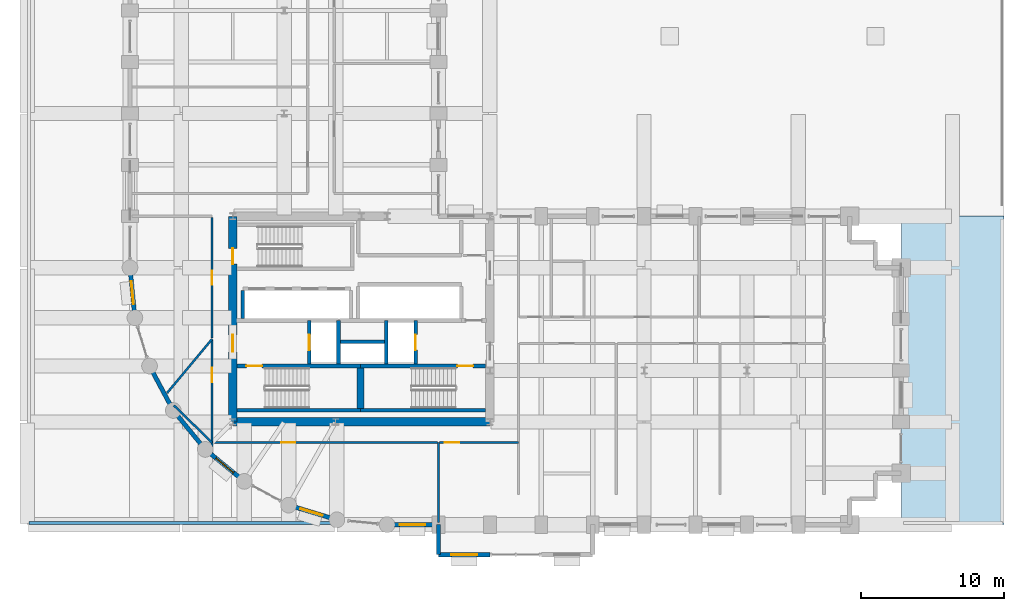
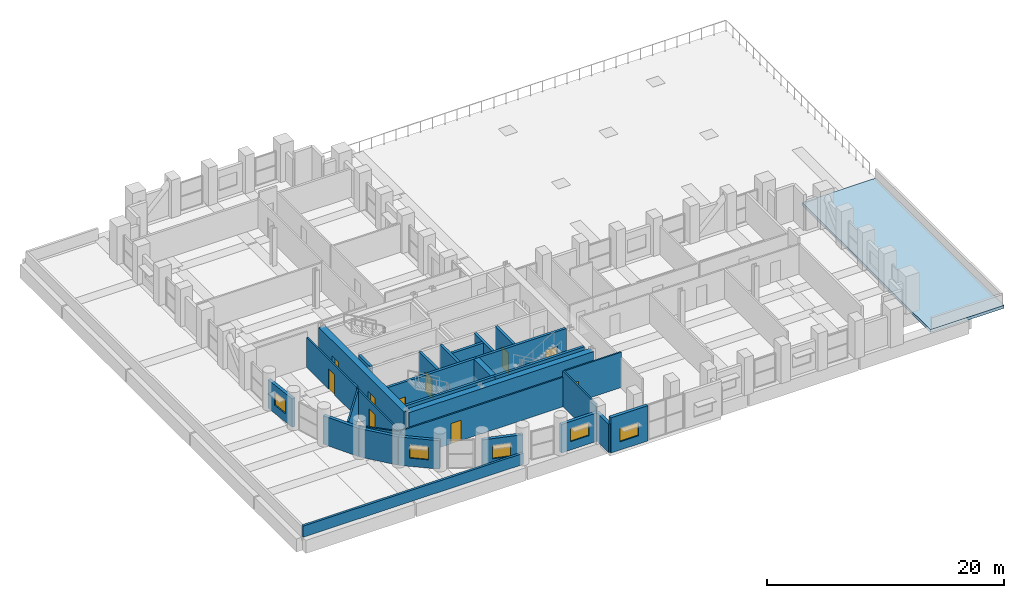
# One storey, part 34 of 39: 29 walls, 10 doors, 5 windows, 1 slab, 15 openings.
"""IFC4 building model written with IfcOpenShell, lengths in metres."""

from ifc_helpers import new_model, si_unit, direction, frame, frame_2d, origin, place, context, subcontext, project, spatial, polyline, rectangle, outline, extrude, material, layer, layer_set, type_object, element, fill, save


model = new_model("IFC4")

# Units and contexts
model_context = context("Model", 3, precision=1e-05, world=origin(), true_north=direction((0.0, 1.0)))
body_context = subcontext(model_context, "Body", "Model", "MODEL_VIEW")
ifc_project = project(units=[si_unit("LENGTHUNIT", "METRE"), si_unit("AREAUNIT", "SQUARE_METRE"), si_unit("VOLUMEUNIT", "CUBIC_METRE"), si_unit("PLANEANGLEUNIT", "RADIAN"), si_unit("MASSUNIT", "GRAM", prefix="KILO")], contexts=[model_context])

# Site, building, storey
site_placement = place(None, origin())
site = spatial("IfcSite", under=ifc_project, at=site_placement, CompositionType="ELEMENT")
building_placement = place(site_placement, origin())
building = spatial("IfcBuilding", under=site, at=building_placement, Name="Solnavia Interchange Tower", CompositionType="ELEMENT")
storey_placement = place(building_placement, frame((0.0, 0.0, 24.0)))
storey = spatial("IfcBuildingStorey", under=building, at=storey_placement, Name="L05", CompositionType="ELEMENT", Elevation=24.0)

# Slab
ifc_material_1 = material(Name="Concrete C40/50", Category="concrete")
ifc_layer_1 = layer(ifc_material_1, 0.300048828125)
ifc_layer_set_1 = layer_set([ifc_layer_1], Name="Concrete C40/50")
slab_type = type_object("IfcSlabType", Name="Slab-Roof-300", PredefinedType="ROOF", material=ifc_layer_set_1)
slab_placement = place(storey_placement, frame((0.0, 0.0, -0.300048828125)))
element("IfcSlab", 1, at=slab_placement, inside=storey, type_object=slab_type, Name="ROF-L05-03 Podium main roof deck slab", PredefinedType="ROOF", context=body_context, shape_type="SweptSolid", body=[
    extrude(outline(polyline([(68.39990234375, 3.60009765625), (61.219970703125, 3.60009765625), (61.219970703125, 7.179931640625), (61.219970703125, 7.179931640625), (61.219970703125, 21.6201171875), (61.219970703125, 21.6201171875), (61.219970703125, 25.219970703125), (68.39990234375, 25.219970703125), (68.39990234375, 3.60009765625)])), origin(), (0.0, 0.0, 1.0), 0.300048828125),
])

# Wall, opening, window
ifc_layer_2 = layer(ifc_material_1, 0.300048828125)
ifc_layer_set_2 = layer_set([ifc_layer_2], Name="Concrete C40/50")
wall_type_1 = type_object("IfcWallType", Name="Wall-ExtSpandrel-300", PredefinedType="STANDARD", material=ifc_layer_set_2)
wall_1_placement = place(storey_placement, frame((28.800048828125, 3.60009765625, 0.0), z_axis=(0.0, 0.0, 1.0), x_axis=(-1.0, 0.0, 0.0)))
wall_1 = element("IfcWall", 2, at=wall_1_placement, inside=storey, type_object=wall_type_1, Name="EXW-L05-01 Exterior precast spandrel wall", PredefinedType="STANDARD", context=body_context, shape_type="SweptSolid", body=[
    extrude(rectangle(XDim=3.60009765625, YDim=0.300048828125, at=frame_2d((1.800048828125, 0.0))), origin(), (0.0, 0.0, 1.0), 2.929931640625),
])
opening_1_placement = place(wall_1_placement, frame((0.925048828125, 0.0, 0.85009765625)))
opening_1 = element("IfcOpeningElement", 3, at=opening_1_placement, cuts=wall_1, Name="Opening WIN-02", PredefinedType="OPENING", context=body_context, shape_type="SweptSolid", body=[
    extrude(rectangle(XDim=1.800048828125, YDim=1.35009765625, at=frame_2d((0.89990234375, 0.675048828125))), frame((0.0, 0.16015625, 0.0), z_axis=(0.0, -1.0, 0.0), x_axis=(1.0, 0.0, 0.0)), (0.0, 0.0, 1.0), 0.320068359375),
])
ifc_material_2 = material(Name="Thermal-Break Aluminium & Low-E Glass", Category="aluminium")
window_type_1 = type_object("IfcWindowType", Name="Window-Ribbon-1800x1350", PartitioningType="SINGLE_PANEL", PredefinedType="WINDOW", material=ifc_material_2)
window_1_placement = place(opening_1_placement, origin())
window_1 = element("IfcWindow", 4, at=window_1_placement, inside=storey, type_object=window_type_1, Name="WIN-L05-01 Facade ribbon window", OverallHeight=1.35009765625, OverallWidth=1.800048828125, PartitioningType="SINGLE_PANEL", PredefinedType="WINDOW", context=body_context, shape_type="SweptSolid", body=[
    extrude(rectangle(XDim=1.800048828125, YDim=1.35009765625, at=frame_2d((0.89990234375, 0.675048828125))), frame((0.0, 0.030029296875, 0.0), z_axis=(0.0, -1.0, 0.0), x_axis=(1.0, 0.0, 0.0)), (0.0, 0.0, 1.0), 0.06005859375),
])
fill(opening_1, window_1)

# Wall
wall_2_placement = place(storey_placement, frame((28.800048828125, 1.5, 0.0), z_axis=(0.0, 0.0, 1.0), x_axis=(0.0, 1.0, 0.0)))
element("IfcWall", 5, at=wall_2_placement, inside=storey, type_object=wall_type_1, Name="EXW-L05-02 Exterior precast spandrel wall", PredefinedType="STANDARD", context=body_context, shape_type="SweptSolid", body=[
    extrude(rectangle(XDim=2.10009765625, YDim=0.300048828125, at=frame_2d((1.050048828125, 0.0))), origin(), (0.0, 0.0, 1.0), 2.929931640625),
])

# Wall, opening, window
wall_3_placement = place(storey_placement, frame((32.39990234375, 1.5, 0.0), z_axis=(0.0, 0.0, 1.0), x_axis=(-1.0, 0.0, 0.0)))
wall_3 = element("IfcWall", 6, at=wall_3_placement, inside=storey, type_object=wall_type_1, Name="EXW-L05-03 Exterior precast spandrel wall", PredefinedType="STANDARD", context=body_context, shape_type="SweptSolid", body=[
    extrude(rectangle(XDim=3.599853515625, YDim=0.300048828125, at=frame_2d((1.7998046875, 0.0))), origin(), (0.0, 0.0, 1.0), 3.635009765625),
])
opening_2_placement = place(wall_3_placement, frame((0.89990234375, 0.0, 0.85009765625)))
opening_2 = element("IfcOpeningElement", 7, at=opening_2_placement, cuts=wall_3, Name="Opening WIN-02", PredefinedType="OPENING", context=body_context, shape_type="SweptSolid", body=[
    extrude(rectangle(XDim=1.800048828125, YDim=1.35009765625, at=frame_2d((0.89990234375, 0.675048828125))), frame((0.0, 0.16015625, 0.0), z_axis=(0.0, -1.0, 0.0), x_axis=(1.0, 0.0, 0.0)), (0.0, 0.0, 1.0), 0.320068359375),
])
window_2_placement = place(opening_2_placement, origin())
window_2 = element("IfcWindow", 8, at=window_2_placement, inside=storey, type_object=window_type_1, Name="WIN-L05-03 Facade ribbon window", OverallHeight=1.35009765625, OverallWidth=1.800048828125, PartitioningType="SINGLE_PANEL", PredefinedType="WINDOW", context=body_context, shape_type="SweptSolid", body=[
    extrude(rectangle(XDim=1.800048828125, YDim=1.35009765625, at=frame_2d((0.89990234375, 0.675048828125))), frame((0.0, 0.030029296875, 0.0), z_axis=(0.0, -1.0, 0.0), x_axis=(1.0, 0.0, 0.0)), (0.0, 0.0, 1.0), 0.06005859375),
])
fill(opening_2, window_2)

wall_4_placement = place(storey_placement, frame((7.5458984375, 18.087890625, 0.0), z_axis=(0.0, 0.0, 1.0), x_axis=(-0.09802417461, 0.995184033831, 0.0)))
wall_4 = element("IfcWall", 9, at=wall_4_placement, inside=storey, type_object=wall_type_1, Name="EXW-L05-57 Exterior precast spandrel wall", PredefinedType="STANDARD", context=body_context, shape_type="SweptSolid", body=[
    extrude(rectangle(XDim=3.529296875, YDim=0.300048828125, at=frame_2d((1.7646484375, 0.0))), origin(), (0.0, 0.0, 1.0), 2.929931640625),
])
opening_3_placement = place(wall_4_placement, frame((0.965087890625, 0.0, 0.85009765625)))
opening_3 = element("IfcOpeningElement", 10, at=opening_3_placement, cuts=wall_4, Name="Opening WIN-04", PredefinedType="OPENING", context=body_context, shape_type="SweptSolid", body=[
    extrude(rectangle(XDim=1.60009765625, YDim=1.35009765625, at=frame_2d((0.800048828125, 0.675048828125))), frame((0.0, 0.16015625, 0.0), z_axis=(0.0, -1.0, 0.0), x_axis=(1.0, 0.0, 0.0)), (0.0, 0.0, 1.0), 0.320068359375),
])
window_type_2 = type_object("IfcWindowType", Name="Window-Drum-1600x1350", PartitioningType="SINGLE_PANEL", PredefinedType="WINDOW", material=ifc_material_2)
window_3_placement = place(opening_3_placement, origin())
window_3 = element("IfcWindow", 11, at=window_3_placement, inside=storey, type_object=window_type_2, Name="WIN-L05-57 Facade ribbon window", OverallHeight=1.35009765625, OverallWidth=1.60009765625, PartitioningType="SINGLE_PANEL", PredefinedType="WINDOW", context=body_context, shape_type="SweptSolid", body=[
    extrude(rectangle(XDim=1.60009765625, YDim=1.35009765625, at=frame_2d((0.800048828125, 0.675048828125))), frame((0.0, 0.030029296875, 0.0), z_axis=(0.0, -1.0, 0.0), x_axis=(1.0, 0.0, 0.0)), (0.0, 0.0, 1.0), 0.06005859375),
])
fill(opening_3, window_3)

# Walls
wall_5_placement = place(storey_placement, frame((10.23388671875, 11.60009765625, 0.0), z_axis=(0.0, 0.0, 1.0), x_axis=(-0.47151087309, 0.881860247748, 0.0)))
element("IfcWall", 12, at=wall_5_placement, inside=storey, type_object=wall_type_1, Name="EXW-L05-59 Exterior precast spandrel wall", PredefinedType="STANDARD", context=body_context, shape_type="SweptSolid", body=[
    extrude(rectangle(XDim=3.52880859375, YDim=0.300048828125, at=frame_2d((1.764404296875, 0.0))), origin(), (0.0, 0.0, 1.0), 2.929931640625),
])
wall_6_placement = place(storey_placement, frame((12.471923828125, 8.8720703125, 0.0), z_axis=(0.0, 0.0, 1.0), x_axis=(-0.634258295121, 0.773121216285, 0.0)))
element("IfcWall", 13, at=wall_6_placement, inside=storey, type_object=wall_type_1, Name="EXW-L05-60 Exterior precast spandrel wall", PredefinedType="STANDARD", context=body_context, shape_type="SweptSolid", body=[
    extrude(rectangle(XDim=3.528564453125, YDim=0.300048828125, at=frame_2d((1.76416015625, 0.0))), origin(), (0.0, 0.0, 1.0), 2.929931640625),
])

# Wall, opening, window
wall_7_placement = place(storey_placement, frame((15.199951171875, 6.634033203125, 0.0), z_axis=(0.0, 0.0, 1.0), x_axis=(-0.773121216285, 0.634258295121, 0.0)))
wall_7 = element("IfcWall", 14, at=wall_7_placement, inside=storey, type_object=wall_type_1, Name="EXW-L05-61 Exterior precast spandrel wall", PredefinedType="STANDARD", context=body_context, shape_type="SweptSolid", body=[
    extrude(rectangle(XDim=3.528564453125, YDim=0.300048828125, at=frame_2d((1.76416015625, 0.0))), origin(), (0.0, 0.0, 1.0), 2.929931640625),
])
opening_4_placement = place(wall_7_placement, frame((0.964111328125, 0.0, 0.85009765625)))
opening_4 = element("IfcOpeningElement", 15, at=opening_4_placement, cuts=wall_7, Name="Opening WIN-04", PredefinedType="OPENING", context=body_context, shape_type="SweptSolid", body=[
    extrude(rectangle(XDim=1.60009765625, YDim=1.35009765625, at=frame_2d((0.800048828125, 0.675048828125))), frame((0.0, 0.16015625, 0.0), z_axis=(0.0, -1.0, 0.0), x_axis=(1.0, 0.0, 0.0)), (0.0, 0.0, 1.0), 0.320068359375),
])
window_4_placement = place(opening_4_placement, origin())
window_4 = element("IfcWindow", 16, at=window_4_placement, inside=storey, type_object=window_type_2, Name="WIN-L05-61 Facade ribbon window", OverallHeight=1.35009765625, OverallWidth=1.60009765625, PartitioningType="SINGLE_PANEL", PredefinedType="WINDOW", context=body_context, shape_type="SweptSolid", body=[
    extrude(rectangle(XDim=1.60009765625, YDim=1.35009765625, at=frame_2d((0.800048828125, 0.675048828125))), frame((0.0, 0.030029296875, 0.0), z_axis=(0.0, -1.0, 0.0), x_axis=(1.0, 0.0, 0.0)), (0.0, 0.0, 1.0), 0.06005859375),
])
fill(opening_4, window_4)

wall_8_placement = place(storey_placement, frame((21.68798828125, 3.946044921875, 0.0), z_axis=(0.0, 0.0, 1.0), x_axis=(-0.956953367403, 0.290241714123, 0.0)))
wall_8 = element("IfcWall", 17, at=wall_8_placement, inside=storey, type_object=wall_type_1, Name="EXW-L05-63 Exterior precast spandrel wall", PredefinedType="STANDARD", context=body_context, shape_type="SweptSolid", body=[
    extrude(rectangle(XDim=3.52783203125, YDim=0.300048828125, at=frame_2d((1.763916015625, 0.0))), origin(), (0.0, 0.0, 1.0), 2.929931640625),
])
opening_5_placement = place(wall_8_placement, frame((1.055908203125, 0.0, 0.85009765625)))
opening_5 = element("IfcOpeningElement", 18, at=opening_5_placement, cuts=wall_8, Name="Opening WIN-04", PredefinedType="OPENING", context=body_context, shape_type="SweptSolid", body=[
    extrude(rectangle(XDim=1.60009765625, YDim=1.35009765625, at=frame_2d((0.800048828125, 0.675048828125))), frame((0.0, 0.16015625, 0.0), z_axis=(0.0, -1.0, 0.0), x_axis=(1.0, 0.0, 0.0)), (0.0, 0.0, 1.0), 0.320068359375),
])
window_5_placement = place(opening_5_placement, origin())
window_5 = element("IfcWindow", 19, at=window_5_placement, inside=storey, type_object=window_type_2, Name="WIN-L05-63 Facade ribbon window", OverallHeight=1.35009765625, OverallWidth=1.60009765625, PartitioningType="SINGLE_PANEL", PredefinedType="WINDOW", context=body_context, shape_type="SweptSolid", body=[
    extrude(rectangle(XDim=1.60009765625, YDim=1.35009765625, at=frame_2d((0.800048828125, 0.675048828125))), frame((0.0, 0.030029296875, 0.0), z_axis=(0.0, -1.0, 0.0), x_axis=(1.0, 0.0, 0.0)), (0.0, 0.0, 1.0), 0.06005859375),
])
fill(opening_5, window_5)

# Walls
ifc_layer_3 = layer(ifc_material_1, 0.219970703125)
ifc_layer_set_3 = layer_set([ifc_layer_3], Name="Concrete C40/50")
wall_type_2 = type_object("IfcWallType", Name="Wall-Parapet-220", PredefinedType="PARAPET", material=ifc_layer_set_3)
wall_9_placement = place(storey_placement, frame((0.1201171875, 3.719970703125, 0.0), z_axis=(0.0, 0.0, 1.0), x_axis=(1.0, 0.0, 0.0)))
element("IfcWall", 20, at=wall_9_placement, inside=storey, type_object=wall_type_2, Name="PRP-L05-W3 Podium roof south-west parapet", PredefinedType="PARAPET", context=body_context, shape_type="SweptSolid", body=[
    extrude(rectangle(XDim=21.47998046875, YDim=0.219970703125, at=frame_2d((10.739990234375, 0.0))), origin(), (0.0, 0.0, 1.0), 1.14990234375),
])
ifc_material_3 = material(Name="Gypsum Plasterboard & Steel Stud", Category="steel")
ifc_layer_4 = layer(ifc_material_3, 0.14990234375)
ifc_layer_set_4 = layer_set([ifc_layer_4], Name="Gypsum Plasterboard & Steel Stud")
wall_type_3 = type_object("IfcWallType", Name="Wall-Partition-150", PredefinedType="PARTITIONING", material=ifc_layer_set_4)
wall_10_placement = place(storey_placement, frame((28.800048828125, 9.35009765625, 0.0), z_axis=(0.0, 0.0, 1.0), x_axis=(0.0, -1.0, 0.0)))
element("IfcWall", 21, at=wall_10_placement, inside=storey, type_object=wall_type_3, Name="PTW-L05-08 Interior partition wall", PredefinedType="PARTITIONING", context=body_context, shape_type="SweptSolid", body=[
    extrude(rectangle(XDim=5.59619140625, YDim=0.14990234375, at=frame_2d((2.798095703125, 0.0))), origin(), (0.0, 0.0, 1.0), 3.635009765625),
])
wall_11_placement = place(storey_placement, frame((12.949951171875, 9.35009765625, 0.0), z_axis=(0.0, 0.0, 1.0), x_axis=(-0.716473772124, 0.697614029287, 0.0)))
element("IfcWall", 22, at=wall_11_placement, inside=storey, type_object=wall_type_3, Name="PTW-L05-09 Interior partition wall", PredefinedType="PARTITIONING", context=body_context, shape_type="SweptSolid", body=[
    extrude(rectangle(XDim=3.728271484375, YDim=0.14990234375, at=frame_2d((1.8642578125, 0.0))), origin(), (0.0, 0.0, 1.0), 2.929931640625),
])
wall_12_placement = place(storey_placement, frame((12.949951171875, 16.60009765625, 0.0), z_axis=(0.0, 0.0, 1.0), x_axis=(-0.640693345459, -0.767796872281, 0.0)))
element("IfcWall", 23, at=wall_12_placement, inside=storey, type_object=wall_type_3, Name="PTW-L05-10 Interior partition wall", PredefinedType="PARTITIONING", context=body_context, shape_type="SweptSolid", body=[
    extrude(rectangle(XDim=4.90576171875, YDim=0.14990234375, at=frame_2d((2.452880859375, 0.0))), origin(), (0.0, 0.0, 1.0), 2.929931640625),
])

# Wall, opening, door
wall_13_placement = place(storey_placement, frame((12.949951171875, 16.678955078125, 0.0), z_axis=(0.0, 0.0, 1.0), x_axis=(0.0, 1.0, 0.0)))
wall_13 = element("IfcWall", 24, at=wall_13_placement, inside=storey, type_object=wall_type_3, Name="PTW-L05-11 Interior partition wall", PredefinedType="PARTITIONING", context=body_context, shape_type="SweptSolid", body=[
    extrude(rectangle(XDim=8.442138671875, YDim=0.14990234375, at=frame_2d((4.22119140625, 0.0))), origin(), (0.0, 0.0, 1.0), 3.080078125),
])
opening_6_placement = place(wall_13_placement, frame((3.720947265625, 0.0, 0.0)))
opening_6 = element("IfcOpeningElement", 25, at=opening_6_placement, cuts=wall_13, Name="Opening DR-07", PredefinedType="OPENING", context=body_context, shape_type="SweptSolid", body=[
    extrude(rectangle(XDim=1.0, YDim=2.10009765625, at=frame_2d((0.5, 1.050048828125))), frame((0.0, 0.0849609375, 0.0), z_axis=(0.0, -1.0, 0.0), x_axis=(1.0, 0.0, 0.0)), (0.0, 0.0, 1.0), 0.169921875),
])
ifc_material_4 = material(Name="Timber & Acoustic Glazed Office Door", Category="wood")
door_type_1 = type_object("IfcDoorType", Name="Door-Office-1000x2100", OperationType="SINGLE_SWING_RIGHT", PredefinedType="DOOR", material=ifc_material_4)
door_1_placement = place(opening_6_placement, origin())
door_1 = element("IfcDoor", 26, at=door_1_placement, inside=storey, type_object=door_type_1, Name="DR-L05-03 Interior room door", OperationType="SINGLE_SWING_LEFT", OverallHeight=2.10009765625, OverallWidth=1.0, PredefinedType="DOOR", context=body_context, shape_type="SweptSolid", body=[
    extrude(rectangle(XDim=1.0, YDim=2.10009765625, at=frame_2d((0.5, 1.050048828125))), frame((0.0, 0.02490234375, 0.0), z_axis=(0.0, -1.0, 0.0), x_axis=(1.0, 0.0, 0.0)), (0.0, 0.0, 1.0), 0.050048828125),
])
fill(opening_6, door_1)

wall_14_placement = place(storey_placement, frame((12.949951171875, 8.6337890625, 0.0), z_axis=(0.0, 0.0, 1.0), x_axis=(0.0, 1.0, 0.0)))
wall_14 = element("IfcWall", 27, at=wall_14_placement, inside=storey, type_object=wall_type_3, Name="PTW-L05-12 Interior partition wall", PredefinedType="PARTITIONING", context=body_context, shape_type="SweptSolid", body=[
    extrude(rectangle(XDim=7.88720703125, YDim=0.14990234375, at=frame_2d((3.943603515625, 0.0))), origin(), (0.0, 0.0, 1.0), 2.929931640625),
])
opening_7_placement = place(wall_14_placement, frame((4.947021484375, 0.0, 0.0)))
opening_7 = element("IfcOpeningElement", 28, at=opening_7_placement, cuts=wall_14, Name="Opening DR-07", PredefinedType="OPENING", context=body_context, shape_type="SweptSolid", body=[
    extrude(rectangle(XDim=1.0, YDim=2.10009765625, at=frame_2d((0.5, 1.050048828125))), frame((0.0, 0.0849609375, 0.0), z_axis=(0.0, -1.0, 0.0), x_axis=(1.0, 0.0, 0.0)), (0.0, 0.0, 1.0), 0.169921875),
])
door_2_placement = place(opening_7_placement, origin())
door_2 = element("IfcDoor", 29, at=door_2_placement, inside=storey, type_object=door_type_1, Name="DR-L05-04 Interior room door", OperationType="SINGLE_SWING_RIGHT", OverallHeight=2.10009765625, OverallWidth=1.0, PredefinedType="DOOR", context=body_context, shape_type="SweptSolid", body=[
    extrude(rectangle(XDim=1.0, YDim=2.10009765625, at=frame_2d((0.5, 1.050048828125))), frame((0.0, 0.02490234375, 0.0), z_axis=(0.0, -1.0, 0.0), x_axis=(1.0, 0.0, 0.0)), (0.0, 0.0, 1.0), 0.050048828125),
])
fill(opening_7, door_2)

wall_15_placement = place(storey_placement, frame((12.949951171875, 9.35009765625, 0.0), z_axis=(0.0, 0.0, 1.0), x_axis=(1.0, 0.0, 0.0)))
wall_15 = element("IfcWall", 30, at=wall_15_placement, inside=storey, type_object=wall_type_3, Name="PTW-L05-13 Interior partition wall", PredefinedType="PARTITIONING", context=body_context, shape_type="SweptSolid", body=[
    extrude(rectangle(XDim=15.77099609375, YDim=0.14990234375, at=frame_2d((7.885498046875, 0.0))), origin(), (0.0, 0.0, 1.0), 3.0400390625),
])
opening_8_placement = place(wall_15_placement, frame((4.8359375, 0.0, 0.0)))
opening_8 = element("IfcOpeningElement", 31, at=opening_8_placement, cuts=wall_15, Name="Opening DR-07", PredefinedType="OPENING", context=body_context, shape_type="SweptSolid", body=[
    extrude(rectangle(XDim=1.0, YDim=2.10009765625, at=frame_2d((0.5, 1.050048828125))), frame((0.0, 0.0849609375, 0.0), z_axis=(0.0, -1.0, 0.0), x_axis=(1.0, 0.0, 0.0)), (0.0, 0.0, 1.0), 0.169921875),
])
door_3_placement = place(opening_8_placement, origin())
door_3 = element("IfcDoor", 32, at=door_3_placement, inside=storey, type_object=door_type_1, Name="DR-L05-05 Interior room door", OperationType="SINGLE_SWING_LEFT", OverallHeight=2.10009765625, OverallWidth=1.0, PredefinedType="DOOR", context=body_context, shape_type="SweptSolid", body=[
    extrude(rectangle(XDim=1.0, YDim=2.10009765625, at=frame_2d((0.5, 1.050048828125))), frame((0.0, 0.02490234375, 0.0), z_axis=(0.0, -1.0, 0.0), x_axis=(1.0, 0.0, 0.0)), (0.0, 0.0, 1.0), 0.050048828125),
])
fill(opening_8, door_3)

wall_16_placement = place(storey_placement, frame((28.87890625, 9.35009765625, 0.0), z_axis=(0.0, 0.0, 1.0), x_axis=(1.0, 0.0, 0.0)))
wall_16 = element("IfcWall", 33, at=wall_16_placement, inside=storey, type_object=wall_type_3, Name="PTW-L05-14 Interior partition wall", PredefinedType="PARTITIONING", context=body_context, shape_type="SweptSolid", body=[
    extrude(rectangle(XDim=5.52099609375, YDim=0.14990234375, at=frame_2d((2.760498046875, 0.0))), origin(), (0.0, 0.0, 1.0), 3.635009765625),
])
opening_9_placement = place(wall_16_placement, frame((0.360107421875, 0.0, 0.0)))
opening_9 = element("IfcOpeningElement", 34, at=opening_9_placement, cuts=wall_16, Name="Opening DR-07", PredefinedType="OPENING", context=body_context, shape_type="SweptSolid", body=[
    extrude(rectangle(XDim=1.0, YDim=2.10009765625, at=frame_2d((0.5, 1.050048828125))), frame((0.0, 0.0849609375, 0.0), z_axis=(0.0, -1.0, 0.0), x_axis=(1.0, 0.0, 0.0)), (0.0, 0.0, 1.0), 0.169921875),
])
door_4_placement = place(opening_9_placement, origin())
door_4 = element("IfcDoor", 35, at=door_4_placement, inside=storey, type_object=door_type_1, Name="DR-L05-06 Interior room door", OperationType="SINGLE_SWING_RIGHT", OverallHeight=2.10009765625, OverallWidth=1.0, PredefinedType="DOOR", context=body_context, shape_type="SweptSolid", body=[
    extrude(rectangle(XDim=1.0, YDim=2.10009765625, at=frame_2d((0.5, 1.050048828125))), frame((0.0, 0.02490234375, 0.0), z_axis=(0.0, -1.0, 0.0), x_axis=(1.0, 0.0, 0.0)), (0.0, 0.0, 1.0), 0.050048828125),
])
fill(opening_9, door_4)

# Wall
ifc_layer_5 = layer(ifc_material_1, 0.25)
ifc_layer_set_5 = layer_set([ifc_layer_5], Name="Concrete C40/50")
wall_type_4 = type_object("IfcWallType", Name="Wall-ShaftCore-250", PredefinedType="SHEAR", material=ifc_layer_set_5)
wall_17_placement = place(storey_placement, frame((14.699951171875, 11.625, 0.0), z_axis=(0.0, 0.0, 1.0), x_axis=(1.0, 0.0, 0.0)))
element("IfcWall", 36, at=wall_17_placement, inside=storey, type_object=wall_type_4, Name="SHW-L05-ST1S Core shear wall", PredefinedType="SHEAR", context=body_context, shape_type="SweptSolid", body=[
    extrude(rectangle(XDim=8.650146484375, YDim=0.25, at=frame_2d((4.3251953125, 0.0))), origin(), (0.0, 0.0, 1.0), 3.64990234375),
])

# Wall, opening, door
wall_18_placement = place(storey_placement, frame((14.699951171875, 14.715087890625, 0.0), z_axis=(0.0, 0.0, 1.0), x_axis=(1.0, 0.0, 0.0)))
wall_18 = element("IfcWall", 37, at=wall_18_placement, inside=storey, type_object=wall_type_4, Name="SHW-L05-ST1N Core shear wall", PredefinedType="SHEAR", context=body_context, shape_type="SweptSolid", body=[
    extrude(rectangle(XDim=8.650146484375, YDim=0.25, at=frame_2d((4.3251953125, 0.0))), origin(), (0.0, 0.0, 1.0), 3.64990234375),
])
opening_10_placement = place(wall_18_placement, frame((0.655029296875, 0.0, 0.0)))
opening_10 = element("IfcOpeningElement", 38, at=opening_10_placement, cuts=wall_18, Name="Opening DR-01", PredefinedType="OPENING", context=body_context, shape_type="SweptSolid", body=[
    extrude(rectangle(XDim=1.10009765625, YDim=2.10009765625, at=frame_2d((0.550048828125, 1.050048828125))), frame((0.0, 0.135009765625, 0.0), z_axis=(0.0, -1.0, 0.0), x_axis=(1.0, 0.0, 0.0)), (0.0, 0.0, 1.0), 0.27001953125),
])
ifc_material_5 = material(Name="Steel Fire-Rated Leaf & Frame", Category="steel")
door_type_2 = type_object("IfcDoorType", Name="Door-StairFire-1100x2100", OperationType="SINGLE_SWING_LEFT", PredefinedType="DOOR", material=ifc_material_5)
door_5_placement = place(opening_10_placement, origin())
door_5 = element("IfcDoor", 39, at=door_5_placement, inside=storey, type_object=door_type_2, Name="DR-L05-ST1 Core fire door", OperationType="SINGLE_SWING_LEFT", OverallHeight=2.10009765625, OverallWidth=1.10009765625, PredefinedType="DOOR", context=body_context, shape_type="SweptSolid", body=[
    extrude(rectangle(XDim=1.10009765625, YDim=2.10009765625, at=frame_2d((0.550048828125, 1.050048828125))), frame((0.0, 0.02490234375, 0.0), z_axis=(0.0, -1.0, 0.0), x_axis=(1.0, 0.0, 0.0)), (0.0, 0.0, 1.0), 0.050048828125),
])
fill(opening_10, door_5)

# Wall
wall_19_placement = place(storey_placement, frame((23.35009765625, 11.625, 0.0), z_axis=(0.0, 0.0, 1.0), x_axis=(1.0, 0.0, 0.0)))
element("IfcWall", 40, at=wall_19_placement, inside=storey, type_object=wall_type_4, Name="SHW-L05-ST2S Core shear wall", PredefinedType="SHEAR", context=body_context, shape_type="SweptSolid", body=[
    extrude(rectangle(XDim=8.75, YDim=0.25, at=frame_2d((4.375, 0.0))), origin(), (0.0, 0.0, 1.0), 3.64990234375),
])

# Wall, opening, door
wall_20_placement = place(storey_placement, frame((23.35009765625, 14.715087890625, 0.0), z_axis=(0.0, 0.0, 1.0), x_axis=(1.0, 0.0, 0.0)))
wall_20 = element("IfcWall", 41, at=wall_20_placement, inside=storey, type_object=wall_type_4, Name="SHW-L05-ST2N Core shear wall", PredefinedType="SHEAR", context=body_context, shape_type="SweptSolid", body=[
    extrude(rectangle(XDim=8.75, YDim=0.25, at=frame_2d((4.375, 0.0))), origin(), (0.0, 0.0, 1.0), 3.64990234375),
])
opening_11_placement = place(wall_20_placement, frame((6.77490234375, 0.0, 0.0)))
opening_11 = element("IfcOpeningElement", 42, at=opening_11_placement, cuts=wall_20, Name="Opening DR-01", PredefinedType="OPENING", context=body_context, shape_type="SweptSolid", body=[
    extrude(rectangle(XDim=1.10009765625, YDim=2.10009765625, at=frame_2d((0.550048828125, 1.050048828125))), frame((0.0, 0.135009765625, 0.0), z_axis=(0.0, -1.0, 0.0), x_axis=(1.0, 0.0, 0.0)), (0.0, 0.0, 1.0), 0.27001953125),
])
door_6_placement = place(opening_11_placement, origin())
door_6 = element("IfcDoor", 43, at=door_6_placement, inside=storey, type_object=door_type_2, Name="DR-L05-ST2 Core fire door", OperationType="SINGLE_SWING_LEFT", OverallHeight=2.10009765625, OverallWidth=1.10009765625, PredefinedType="DOOR", context=body_context, shape_type="SweptSolid", body=[
    extrude(rectangle(XDim=1.10009765625, YDim=2.10009765625, at=frame_2d((0.550048828125, 1.050048828125))), frame((0.0, 0.02490234375, 0.0), z_axis=(0.0, -1.0, 0.0), x_axis=(1.0, 0.0, 0.0)), (0.0, 0.0, 1.0), 0.050048828125),
])
fill(opening_11, door_6)

ifc_layer_6 = layer(ifc_material_1, 0.25)
ifc_layer_set_6 = layer_set([ifc_layer_6], Name="Concrete C40/50")
wall_type_5 = type_object("IfcWallType", Name="Wall-ShaftPart-250", PredefinedType="PARTITIONING", material=ifc_layer_set_6)
wall_21_placement = place(storey_placement, frame((19.75, 14.840087890625, 0.0), z_axis=(0.0, 0.0, 1.0), x_axis=(0.0, 1.0, 0.0)))
wall_21 = element("IfcWall", 44, at=wall_21_placement, inside=storey, type_object=wall_type_5, Name="SHW-L05-FFL1-W Core shaft wall", PredefinedType="PARTITIONING", context=body_context, shape_type="SweptSolid", body=[
    extrude(rectangle(XDim=3.059814453125, YDim=0.25, at=frame_2d((1.52978515625, 0.0))), origin(), (0.0, 0.0, 1.0), 3.635009765625),
])
opening_12_placement = place(wall_21_placement, frame((0.97998046875, 0.0, 0.0)))
opening_12 = element("IfcOpeningElement", 45, at=opening_12_placement, cuts=wall_21, Name="Opening LD-01", PredefinedType="OPENING", context=body_context, shape_type="SweptSolid", body=[
    extrude(rectangle(XDim=1.10009765625, YDim=2.10009765625, at=frame_2d((0.550048828125, 1.050048828125))), frame((0.0, 0.135009765625, 0.0), z_axis=(0.0, -1.0, 0.0), x_axis=(1.0, 0.0, 0.0)), (0.0, 0.0, 1.0), 0.27001953125),
])
ifc_material_6 = material(Name="Brushed Stainless Steel Sliding Door", Category="steel")
door_type_3 = type_object("IfcDoorType", Name="Door-LiftLanding-1100x2100", OperationType="SLIDING_TO_LEFT", PredefinedType="DOOR", material=ifc_material_6)
door_7_placement = place(opening_12_placement, origin())
door_7 = element("IfcDoor", 46, at=door_7_placement, inside=storey, type_object=door_type_3, Name="LD-L05-FFL1 Lift landing sliding door", OperationType="SLIDING_TO_LEFT", OverallHeight=2.10009765625, OverallWidth=1.10009765625, PredefinedType="DOOR", context=body_context, shape_type="SweptSolid", body=[
    extrude(rectangle(XDim=1.10009765625, YDim=2.10009765625, at=frame_2d((0.550048828125, 1.050048828125))), frame((0.0, 0.02490234375, 0.0), z_axis=(0.0, -1.0, 0.0), x_axis=(1.0, 0.0, 0.0)), (0.0, 0.0, 1.0), 0.050048828125),
])
fill(opening_12, door_7)

# Walls
for number, where, z_axis, x_axis, name in (
    (47, (21.800048828125, 14.840087890625, 0.0), (0.0, 0.0, 1.0), (0.0, 1.0, 0.0), "SHW-L05-FFL1-E Core shaft wall"),
    (48, (25.14990234375, 14.840087890625, 0.0), (0.0, 0.0, 1.0), (0.0, 1.0, 0.0), "SHW-L05-FFL2-W Core shaft wall"),
):
    element("IfcWall", number, at=place(storey_placement, frame(where, z_axis=z_axis, x_axis=x_axis)), inside=storey, type_object=wall_type_5, Name=name, PredefinedType="PARTITIONING", context=body_context, shape_type="SweptSolid", body=[
        extrude(rectangle(XDim=3.059814453125, YDim=0.25, at=frame_2d((1.52978515625, 0.0))), origin(), (0.0, 0.0, 1.0), 3.635009765625),
    ])

# Wall, opening, door
wall_22_placement = place(storey_placement, frame((27.199951171875, 14.840087890625, 0.0), z_axis=(0.0, 0.0, 1.0), x_axis=(0.0, 1.0, 0.0)))
wall_22 = element("IfcWall", 49, at=wall_22_placement, inside=storey, type_object=wall_type_5, Name="SHW-L05-FFL2-E Core shaft wall", PredefinedType="PARTITIONING", context=body_context, shape_type="SweptSolid", body=[
    extrude(rectangle(XDim=3.059814453125, YDim=0.25, at=frame_2d((1.52978515625, 0.0))), origin(), (0.0, 0.0, 1.0), 3.635009765625),
])
opening_13_placement = place(wall_22_placement, frame((0.97998046875, 0.0, 0.0)))
opening_13 = element("IfcOpeningElement", 50, at=opening_13_placement, cuts=wall_22, Name="Opening LD-01", PredefinedType="OPENING", context=body_context, shape_type="SweptSolid", body=[
    extrude(rectangle(XDim=1.10009765625, YDim=2.10009765625, at=frame_2d((0.550048828125, 1.050048828125))), frame((0.0, 0.135009765625, 0.0), z_axis=(0.0, -1.0, 0.0), x_axis=(1.0, 0.0, 0.0)), (0.0, 0.0, 1.0), 0.27001953125),
])
door_8_placement = place(opening_13_placement, origin())
door_8 = element("IfcDoor", 51, at=door_8_placement, inside=storey, type_object=door_type_3, Name="LD-L05-FFL2 Lift landing sliding door", OperationType="SLIDING_TO_LEFT", OverallHeight=2.10009765625, OverallWidth=1.10009765625, PredefinedType="DOOR", context=body_context, shape_type="SweptSolid", body=[
    extrude(rectangle(XDim=1.10009765625, YDim=2.10009765625, at=frame_2d((0.550048828125, 1.050048828125))), frame((0.0, 0.02490234375, 0.0), z_axis=(0.0, -1.0, 0.0), x_axis=(1.0, 0.0, 0.0)), (0.0, 0.0, 1.0), 0.050048828125),
])
fill(opening_13, door_8)

# Walls
wall_23_placement = place(storey_placement, frame((21.800048828125, 16.39990234375, 0.0), z_axis=(0.0, 0.0, 1.0), x_axis=(1.0, 0.0, 0.0)))
element("IfcWall", 52, at=wall_23_placement, inside=storey, type_object=wall_type_5, Name="SHW-L05-MEP-N Core shaft wall", PredefinedType="PARTITIONING", context=body_context, shape_type="SweptSolid", body=[
    extrude(rectangle(XDim=3.349853515625, YDim=0.25, at=frame_2d((1.6748046875, 0.0))), origin(), (0.0, 0.0, 1.0), 3.635009765625),
])
wall_24_placement = place(storey_placement, frame((15.10009765625, 18.02490234375, 0.0), z_axis=(0.0, 0.0, 1.0), x_axis=(0.0, 1.0, 0.0)))
element("IfcWall", 53, at=wall_24_placement, inside=storey, type_object=wall_type_5, Name="SHW-L05-B1W Core shaft wall", PredefinedType="PARTITIONING", context=body_context, shape_type="SweptSolid", body=[
    extrude(rectangle(XDim=1.97509765625, YDim=0.25, at=frame_2d((0.987548828125, 0.0))), origin(), (0.0, 0.0, 1.0), 3.635009765625),
])
ifc_material_7 = material(Name="Concrete C60/75", Category="concrete")
ifc_layer_7 = layer(ifc_material_7, 0.5)
ifc_layer_set_7 = layer_set([ifc_layer_7], Name="Concrete C60/75")
wall_type_6 = type_object("IfcWallType", Name="Wall-ShearCore-500", PredefinedType="SHEAR", material=ifc_layer_set_7)
wall_25_placement = place(storey_placement, frame((23.35009765625, 11.75, 0.0), z_axis=(0.0, 0.0, 1.0), x_axis=(0.0, 1.0, 0.0)))
element("IfcWall", 54, at=wall_25_placement, inside=storey, type_object=wall_type_6, Name="SHW-L05-ST12M Core shear wall", PredefinedType="SHEAR", context=body_context, shape_type="SweptSolid", body=[
    extrude(rectangle(XDim=2.840087890625, YDim=0.5, at=frame_2d((1.419921875, 0.0))), origin(), (0.0, 0.0, 1.0), 3.64990234375),
])
ifc_layer_8 = layer(ifc_material_7, 0.60009765625)
ifc_layer_set_8 = layer_set([ifc_layer_8], Name="Concrete C60/75")
wall_type_7 = type_object("IfcWallType", Name="Wall-ShearCore-600", PredefinedType="SHEAR", material=ifc_layer_set_8)
wall_26_placement = place(storey_placement, frame((14.39990234375, 10.800048828125, 0.0), z_axis=(0.0, 0.0, 1.0), x_axis=(1.0, 0.0, 0.0)))
element("IfcWall", 55, at=wall_26_placement, inside=storey, type_object=wall_type_7, Name="CRW-L05-S Core shear wall", PredefinedType="SHEAR", context=body_context, shape_type="SweptSolid", body=[
    extrude(rectangle(XDim=18.0, YDim=0.60009765625, at=frame_2d((9.0, 0.0))), origin(), (0.0, 0.0, 1.0), 3.64990234375),
])

# Wall, openings, doors
wall_27_placement = place(storey_placement, frame((14.39990234375, 10.800048828125, 0.0), z_axis=(0.0, 0.0, 1.0), x_axis=(0.0, 1.0, 0.0)))
wall_27 = element("IfcWall", 56, at=wall_27_placement, inside=storey, type_object=wall_type_7, Name="CRW-L05-W Core shear wall", PredefinedType="SHEAR", context=body_context, shape_type="SweptSolid", body=[
    extrude(rectangle(XDim=14.39990234375, YDim=0.60009765625, at=frame_2d((7.199951171875, 0.0))), origin(), (0.0, 0.0, 1.0), 3.64990234375),
])
opening_14_placement = place(wall_27_placement, frame((11.050048828125, 0.0, 0.0)))
opening_14 = element("IfcOpeningElement", 57, at=opening_14_placement, cuts=wall_27, Name="Opening DR-01", PredefinedType="OPENING", context=body_context, shape_type="SweptSolid", body=[
    extrude(rectangle(XDim=1.10009765625, YDim=2.10009765625, at=frame_2d((0.550048828125, 1.050048828125))), frame((0.0, 0.31005859375, 0.0), z_axis=(0.0, -1.0, 0.0), x_axis=(1.0, 0.0, 0.0)), (0.0, 0.0, 1.0), 0.6201171875),
])
opening_15_placement = place(wall_27_placement, frame((4.89990234375, 0.0, 0.0)))
opening_15 = element("IfcOpeningElement", 58, at=opening_15_placement, cuts=wall_27, Name="Opening DR-02", PredefinedType="OPENING", context=body_context, shape_type="SweptSolid", body=[
    extrude(rectangle(XDim=1.199951171875, YDim=2.10009765625, at=frame_2d((0.60009765625, 1.050048828125))), frame((0.0, 0.31005859375, 0.0), z_axis=(0.0, -1.0, 0.0), x_axis=(1.0, 0.0, 0.0)), (0.0, 0.0, 1.0), 0.6201171875),
])
ifc_material_8 = material(Name="Steel Fire-Rated Vision-Panel Door", Category="steel")
door_type_4 = type_object("IfcDoorType", Name="Door-LobbyFire-1200x2100", OperationType="SINGLE_SWING_RIGHT", PredefinedType="DOOR", material=ifc_material_8)
door_9_placement = place(opening_15_placement, origin())
door_9 = element("IfcDoor", 59, at=door_9_placement, inside=storey, type_object=door_type_4, Name="DR-L05-FFL1W Core fire door", OperationType="SINGLE_SWING_RIGHT", OverallHeight=2.10009765625, OverallWidth=1.199951171875, PredefinedType="DOOR", context=body_context, shape_type="SweptSolid", body=[
    extrude(rectangle(XDim=1.199951171875, YDim=2.10009765625, at=frame_2d((0.60009765625, 1.050048828125))), frame((0.0, 0.02490234375, 0.0), z_axis=(0.0, -1.0, 0.0), x_axis=(1.0, 0.0, 0.0)), (0.0, 0.0, 1.0), 0.050048828125),
])
fill(opening_15, door_9)
door_10_placement = place(opening_14_placement, origin())
door_10 = element("IfcDoor", 60, at=door_10_placement, inside=storey, type_object=door_type_2, Name="DR-L05-ST3 Core fire door", OperationType="SINGLE_SWING_RIGHT", OverallHeight=2.10009765625, OverallWidth=1.10009765625, PredefinedType="DOOR", context=body_context, shape_type="SweptSolid", body=[
    extrude(rectangle(XDim=1.10009765625, YDim=2.10009765625, at=frame_2d((0.550048828125, 1.050048828125))), frame((0.0, 0.02490234375, 0.0), z_axis=(0.0, -1.0, 0.0), x_axis=(1.0, 0.0, 0.0)), (0.0, 0.0, 1.0), 0.050048828125),
])
fill(opening_14, door_10)

save(model, "model.ifc")
